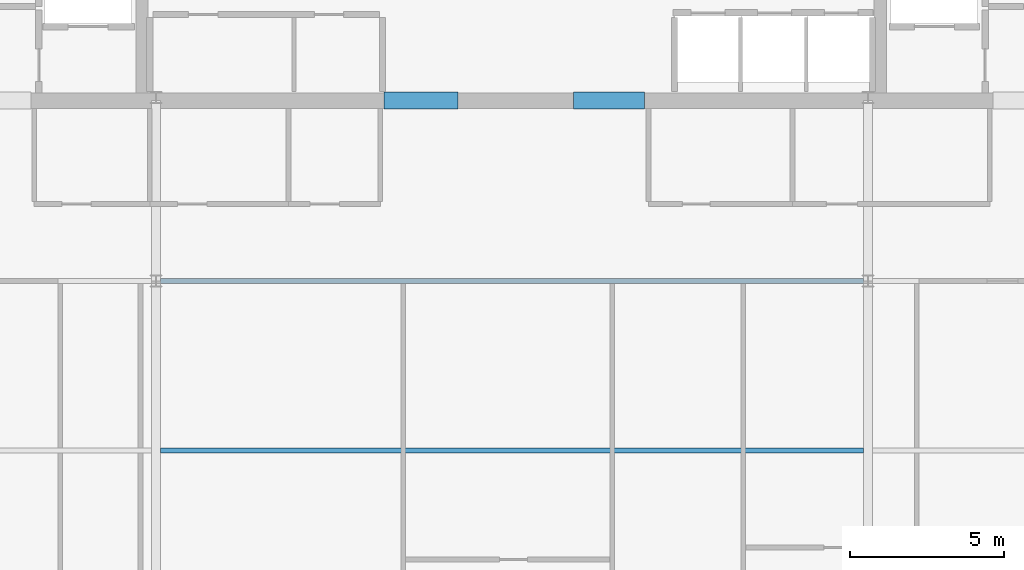
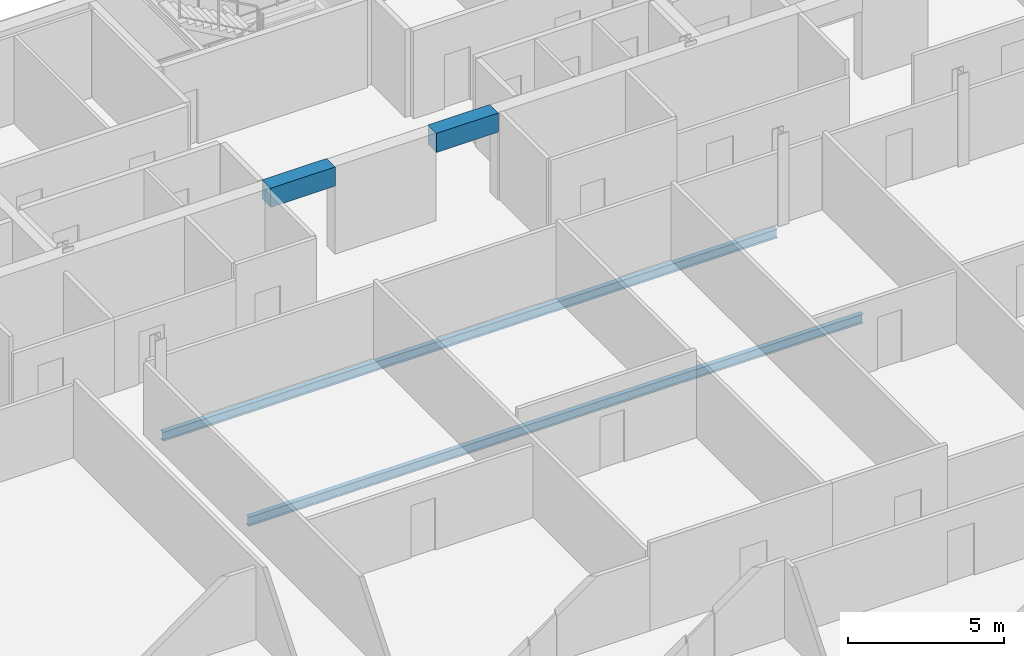
# One storey, part 12 of 27: 4 beams.
"""IFC4 building model written with IfcOpenShell, lengths in metres."""

import ifcopenshell
import ifcopenshell.guid

model = None  # the IFC model being written
_history = None  # IfcOwnerHistory: only IFC2X3 demands one
_inside = {}  # id of a spatial element -> (the spatial element, [elements in it])
_under = {}  # id of a project, library or spatial element -> (it, [spatial elements below it])
_declared = {}  # id of a project -> (the project, [libraries it declares])
_typed = {}  # id of a type object -> (the type object, [elements of that type])
_made_of = {}  # id of a material, layer set ... -> (it, [elements and type objects made of it])


def new_model(schema):
    """Start an empty IFC model of exactly this schema.

    Asked for "IFC4X3", IfcOpenShell would pick the latest addendum, in which some entities
    have other attributes; the version numbers below select the first issue.
    IFC2X3 requires an IfcOwnerHistory on every rooted entity: one is made here for all.
    """
    global model, _history
    if schema == "IFC4X3":
        model = ifcopenshell.file(schema_version=(4, 3, 0, 0))
    else:
        model = ifcopenshell.file(schema=schema)
    _inside.clear()
    _under.clear()
    _declared.clear()
    _typed.clear()
    _made_of.clear()
    _history = None
    if model.schema == "IFC2X3":
        org = make("IfcOrganization", Name="unknown")
        user = make(
            "IfcPersonAndOrganization",
            ThePerson=make("IfcPerson", FamilyName="unknown"),
            TheOrganization=org,
        )
        app = make(
            "IfcApplication",
            ApplicationDeveloper=org,
            Version="unknown",
            ApplicationFullName="unknown",
            ApplicationIdentifier="unknown",
        )
        _history = make(
            "IfcOwnerHistory",
            OwningUser=user,
            OwningApplication=app,
            ChangeAction="ADDED",
            CreationDate=0,
        )
    return model


def make(cls, **values):
    """One entity of the class cls with the attributes given. An attribute that is None is left unset."""
    return model.create_entity(
        cls, **{name: value for name, value in values.items() if value is not None}
    )


def rooted(cls, **values):
    """An entity with a GlobalId (a new one), such as an element, a storey or a relation."""
    return make(cls, GlobalId=ifcopenshell.guid.new(), OwnerHistory=_history, **values)


def si_unit(unit_type, name, prefix=None):
    """IfcSIUnit, for example si_unit("LENGTHUNIT", "METRE", prefix="MILLI")."""
    return make("IfcSIUnit", UnitType=unit_type, Prefix=prefix, Name=name)


def assignment(units):
    """IfcUnitAssignment: the units of a project."""
    return None if units is None else make("IfcUnitAssignment", Units=units)


def point(xyz):
    """IfcCartesianPoint."""
    return None if xyz is None else make("IfcCartesianPoint", Coordinates=xyz)


def direction(xyz):
    """IfcDirection."""
    return None if xyz is None else make("IfcDirection", DirectionRatios=xyz)


def frame(location, z_axis=None, x_axis=None):
    """IfcAxis2Placement3D, a coordinate frame: its origin and axes. An axis left out is left unset."""
    return make(
        "IfcAxis2Placement3D",
        Location=point(location),
        Axis=direction(z_axis),
        RefDirection=direction(x_axis),
    )


def frame_2d(location, x_axis=None):
    """IfcAxis2Placement2D, a coordinate frame in the plane: its origin and x axis."""
    return make(
        "IfcAxis2Placement2D", Location=point(location), RefDirection=direction(x_axis)
    )


def origin():
    """The frame at (0, 0, 0) with its axes left unset."""
    return frame((0.0, 0.0, 0.0))


def origin_2d():
    """The frame at (0, 0) in the plane with its x axis left unset."""
    return frame_2d((0.0, 0.0))


def place(relative_to, where):
    """IfcLocalPlacement: puts the frame where relative to a parent placement (None: the world)."""
    return make(
        "IfcLocalPlacement", PlacementRelTo=relative_to, RelativePlacement=where
    )


def context(
    kind, dimensions, precision=None, world=None, true_north=None, identifier=None
):
    """IfcGeometricRepresentationContext, for example the 3D "Model" context."""
    return make(
        "IfcGeometricRepresentationContext",
        ContextIdentifier=identifier,
        ContextType=kind,
        CoordinateSpaceDimension=dimensions,
        Precision=precision,
        WorldCoordinateSystem=world,
        TrueNorth=true_north,
    )


def subcontext(parent, identifier, kind, view, scale=None):
    """IfcGeometricRepresentationSubContext, for example "Body" below "Model"."""
    return make(
        "IfcGeometricRepresentationSubContext",
        ContextIdentifier=identifier,
        ContextType=kind,
        ParentContext=parent,
        TargetScale=scale,
        TargetView=view,
    )


def project(units=None, contexts=None):
    """IfcProject with its units and contexts."""
    return rooted(
        "IfcProject",
        Name="project",
        RepresentationContexts=contexts,
        UnitsInContext=assignment(units),
    )


def spatial(cls, under=None, at=None, **own):
    """A site, building, storey or space (cls), placed at a placement, below another one or the project."""
    s = rooted(cls, ObjectPlacement=at, **own)
    if under is not None:
        _under.setdefault(under.id(), (under, []))[1].append(s)
    return s


def profile(cls, at=None, kind="AREA", **sizes):
    """A parametric profile (cls). Its sizes go by their IFC names, for example OverallWidth=200.0."""
    return make(cls, ProfileType=kind, Position=at, **sizes)


def rectangle(**sizes):
    """IfcRectangleProfileDef."""
    return profile("IfcRectangleProfileDef", **sizes)


def i_section(**sizes):
    """IfcIShapeProfileDef."""
    return profile("IfcIShapeProfileDef", **sizes)


def extrude(swept, where, along, depth):
    """IfcExtrudedAreaSolid: the profile swept, set in the frame where, extruded along a direction by depth."""
    return make(
        "IfcExtrudedAreaSolid",
        SweptArea=swept,
        Position=where,
        ExtrudedDirection=direction(along),
        Depth=depth,
    )


def shape(context_of_items, identifier, shape_type, items):
    """IfcShapeRepresentation: the items that make up one representation, for example the "Body"."""
    return make(
        "IfcShapeRepresentation",
        ContextOfItems=context_of_items,
        RepresentationIdentifier=identifier,
        RepresentationType=shape_type,
        Items=items,
    )


def material(Name=None, Category=None):
    """IfcMaterial."""
    return make("IfcMaterial", Name=Name, Category=Category)


def material_profile(
    of_material, cross_section, Name=None, Category=None, Priority=None
):
    """IfcMaterialProfile: a cross section and its material."""
    return make(
        "IfcMaterialProfile",
        Name=Name,
        Material=of_material,
        Profile=cross_section,
        Priority=Priority,
        Category=Category,
    )


def profile_set(profiles, Name=None, composite=None):
    """IfcMaterialProfileSet."""
    return make(
        "IfcMaterialProfileSet",
        Name=Name,
        MaterialProfiles=profiles,
        CompositeProfile=composite,
    )


def made_of(thing, what):
    """Note that an element or type object is made of a material, layer set ...; save() writes the relation."""
    if what is not None:
        _made_of.setdefault(what.id(), (what, []))[1].append(thing)
    return thing


def type_object(cls, material=None, **own):
    """A type object (cls), such as IfcWallType, which elements share."""
    return made_of(rooted(cls, **own), material)


def element(
    cls,
    number,
    at=None,
    inside=None,
    cuts=None,
    type_object=None,
    material=None,
    context=None,
    identifier="Body",
    shape_type=None,
    held_by="IfcProductDefinitionShape",
    body=None,
    shapes=None,
    **own,
):
    """One element of the class cls, such as IfcWall. Its Tag is "e" and its number.

    at: its placement. inside: the storey or other place that contains it. cuts: it is an
    opening in that element (IfcRelVoidsElement). A single representation is given by context,
    identifier, shape_type and body (its items); several are given by shapes. held_by: the class
    of the entity that holds the representations. save() writes the other relations.
    """
    e = rooted(cls, Tag="e%d" % number, ObjectPlacement=at, **own)
    if body is not None:
        shapes = [shape(context, identifier, shape_type, body)]
    if shapes is not None:
        e.Representation = make(held_by, Representations=shapes)
    if inside is not None:
        _inside.setdefault(inside.id(), (inside, []))[1].append(e)
    if cuts is not None:
        rooted(
            "IfcRelVoidsElement", RelatingBuildingElement=cuts, RelatedOpeningElement=e
        )
    if type_object is not None:
        _typed.setdefault(type_object.id(), (type_object, []))[1].append(e)
    return made_of(e, material)


def aggregate(whole, parts):
    """IfcRelAggregates: a whole, such as a stair, and the parts it consists of."""
    return rooted("IfcRelAggregates", RelatingObject=whole, RelatedObjects=parts)


def save(model, path):
    """Write the relations noted so far, then the file.

    IfcRelAggregates (storeys below a building ...), IfcRelContainedInSpatialStructure (elements
    in a storey), IfcRelDefinesByType, IfcRelAssociatesMaterial and IfcRelDeclares: one each for
    every whole, place, type object, material and project.
    """
    for whole, parts in _under.values():
        aggregate(whole, parts)
    for where, things in _inside.values():
        rooted(
            "IfcRelContainedInSpatialStructure",
            RelatedElements=things,
            RelatingStructure=where,
        )
    for kind, things in _typed.values():
        rooted("IfcRelDefinesByType", RelatedObjects=things, RelatingType=kind)
    for what, things in _made_of.values():
        rooted("IfcRelAssociatesMaterial", RelatedObjects=things, RelatingMaterial=what)
    for by, libraries in _declared.values():
        rooted("IfcRelDeclares", RelatingContext=by, RelatedDefinitions=libraries)
    model.write(path)


model = new_model("IFC4")

# Units and contexts
model_context = context("Model", 3, precision=1e-05, world=origin(), true_north=direction((0.0, 1.0)))
body_context = subcontext(model_context, "Body", "Model", "MODEL_VIEW")
ifc_project = project(units=[si_unit("LENGTHUNIT", "METRE"), si_unit("AREAUNIT", "SQUARE_METRE"), si_unit("VOLUMEUNIT", "CUBIC_METRE"), si_unit("PLANEANGLEUNIT", "RADIAN"), si_unit("MASSUNIT", "GRAM", prefix="KILO")], contexts=[model_context])

# Site, building, storey
site_placement = place(None, origin())
site = spatial("IfcSite", under=ifc_project, at=site_placement, CompositionType="ELEMENT")
building_placement = place(site_placement, origin())
building = spatial("IfcBuilding", under=site, at=building_placement, Name="Khoronbel Lancet Exchange", CompositionType="ELEMENT")
storey_placement = place(building_placement, frame((0.0, 0.0, 343.39990234375)))
storey = spatial("IfcBuildingStorey", under=building, at=storey_placement, Name="L89", CompositionType="ELEMENT", Elevation=343.39990234375)

# Beams
ifc_material_1 = material(Name="Steel S355", Category="steel")
ifc_material_profile_1 = material_profile(ifc_material_1, i_section(OverallWidth=0.169921875, OverallDepth=0.360107421875, WebThickness=0.008056640625, FlangeThickness=0.0126953125, at=origin_2d()), Name="IPE 360")
ifc_profile_set_1 = profile_set([ifc_material_profile_1], Name="Steel S355")
beam_type_1 = type_object("IfcBeamType", Name="BM-BJ6", PredefinedType="JOIST", material=ifc_profile_set_1)
for number, where, z_axis, x_axis, name in (
    (1, (25.050048828125, 30.199951171875, -0.33984375), (1.0, 0.0, 0.0), (0.0, 1.0, 0.0), "Level L89 secondary composite joist J08"),
    (2, (25.050048828125, 35.699951171875, -0.33984375), (1.0, 0.0, 0.0), (0.0, 1.0, 0.0), "Level L89 secondary composite joist J11"),
):
    element("IfcBeam", number, at=place(storey_placement, frame(where, z_axis=z_axis, x_axis=x_axis)), inside=storey, type_object=beam_type_1, Name=name, PredefinedType="JOIST", context=body_context, shape_type="SweptSolid", body=[
        extrude(i_section(OverallWidth=0.169921875, OverallDepth=0.360107421875, WebThickness=0.008056640625, FlangeThickness=0.0126953125, at=origin_2d()), origin(), (0.0, 0.0, 1.0), 22.800048828125),
    ])
ifc_material_2 = material(Name="Concrete C60/75", Category="concrete")
ifc_material_profile_2 = material_profile(ifc_material_2, rectangle(XDim=0.550048828125, YDim=0.75, at=origin_2d()), Name="RC 550x750")
ifc_profile_set_2 = profile_set([ifc_material_profile_2], Name="Concrete C60/75")
beam_type_2 = type_object("IfcBeamType", Name="BM-BL2", PredefinedType="LINTEL", material=ifc_profile_set_2)
beam_1_placement = place(storey_placement, frame((32.300048828125, 41.550048828125, 3.065185546875), z_axis=(1.0, 0.0, 0.0), x_axis=(0.0, 1.0, 0.0)))
element("IfcBeam", 3, at=beam_1_placement, inside=storey, type_object=beam_type_2, Name="Level L89 rear core coupling lintel L2", PredefinedType="LINTEL", context=body_context, shape_type="SweptSolid", body=[
    extrude(rectangle(XDim=0.550048828125, YDim=0.75, at=origin_2d()), origin(), (0.0, 0.0, 1.0), 2.39990234375),
])
beam_2_placement = place(storey_placement, frame((38.449951171875, 41.550048828125, 3.065185546875), z_axis=(1.0, 0.0, 0.0), x_axis=(0.0, 1.0, 0.0)))
element("IfcBeam", 4, at=beam_2_placement, inside=storey, type_object=beam_type_2, Name="Level L89 rear core coupling lintel L3", PredefinedType="LINTEL", context=body_context, shape_type="SweptSolid", body=[
    extrude(rectangle(XDim=0.550048828125, YDim=0.75, at=origin_2d()), origin(), (0.0, 0.0, 1.0), 2.300048828125),
])

save(model, "model.ifc")
